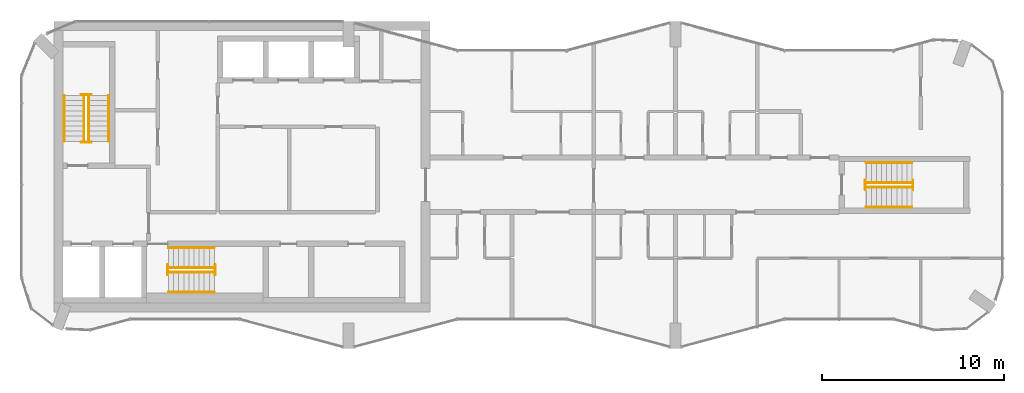
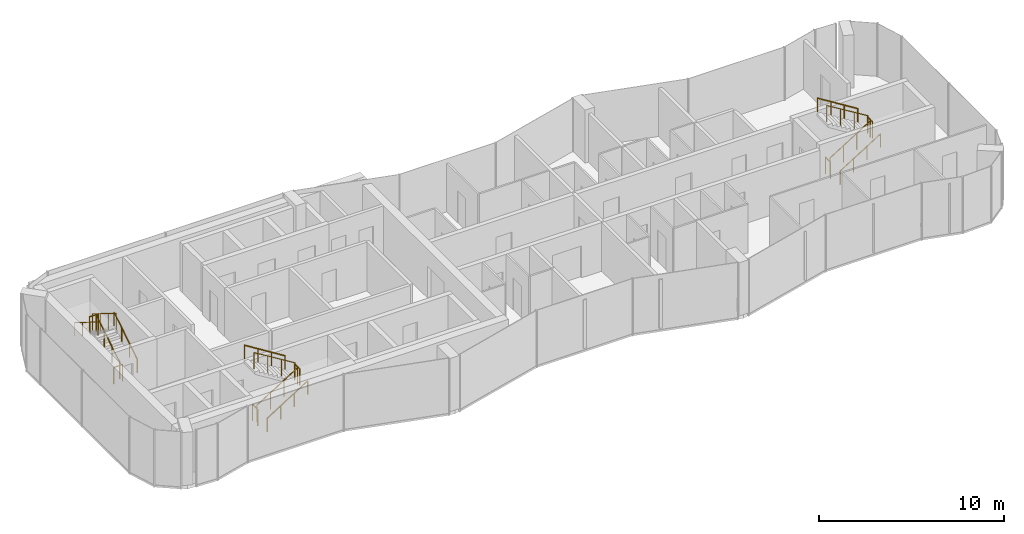
# One storey, part 9 of 9: 18 railings.
"""IFC4 building model written with IfcOpenShell, lengths in metres."""

from ifc_helpers import new_model, si_unit, direction, frame, origin, origin_2d, place, context, subcontext, project, spatial, circle, extrude, material, type_object, element, save


model = new_model("IFC4")

# Units and contexts
model_context = context("Model", 3, precision=1e-05, world=origin(), true_north=direction((0.0, 1.0)))
body_context = subcontext(model_context, "Body", "Model", "MODEL_VIEW")
ifc_project = project(units=[si_unit("LENGTHUNIT", "METRE"), si_unit("AREAUNIT", "SQUARE_METRE"), si_unit("VOLUMEUNIT", "CUBIC_METRE"), si_unit("PLANEANGLEUNIT", "RADIAN"), si_unit("MASSUNIT", "GRAM", prefix="KILO")], contexts=[model_context])

# Site, building, storey
site_placement = place(None, origin())
site = spatial("IfcSite", under=ifc_project, at=site_placement, CompositionType="ELEMENT")
building_placement = place(site_placement, origin())
building = spatial("IfcBuilding", under=site, at=building_placement, Name="Plateau Cross Towers", CompositionType="ELEMENT")
storey_placement = place(building_placement, frame((0.0, 0.0, 232.89990234375)))
storey = spatial("IfcBuildingStorey", under=building, at=storey_placement, Name="L61", CompositionType="ELEMENT", Elevation=232.89990234375)

# Railings
ifc_material_1 = material(Name="Stainless steel and toughened glass", Category="steel")
railing_type_1 = type_object("IfcRailingType", Name="RL-GUARD-1100", PredefinedType="GUARDRAIL", material=ifc_material_1)
railing_1_placement = place(storey_placement, frame((3.699951171875, 11.39990234375, 0.175048828125)))
element("IfcRailing", 1, at=railing_1_placement, inside=storey, type_object=railing_type_1, Name="L61 ST-1 stair guard 1", PredefinedType="GUARDRAIL", context=body_context, shape_type="SweptSolid", body=[
    extrude(circle(Radius=0.02392578125, at=origin_2d()), frame((0.0, 0.0, 1.076171875), z_axis=(0.0, 0.848007534815, 0.529984170421), x_axis=(-1.0, 0.0, 0.0)), (0.0, 0.0, 1.0), 2.9716796875),
    extrude(circle(Radius=0.02099609375, at=origin_2d()), origin(), (0.0, 0.0, 1.0), 1.052001953125),
    extrude(circle(Radius=0.02099609375, at=origin_2d()), frame((0.0, 0.840087890625, 0.52490234375)), (0.0, 0.0, 1.0), 1.052001953125),
    extrude(circle(Radius=0.02099609375, at=origin_2d()), frame((0.0, 1.679931640625, 1.050048828125)), (0.0, 0.0, 1.0), 1.052001953125),
    extrude(circle(Radius=0.02099609375, at=origin_2d()), frame((0.0, 2.52001953125, 1.574951171875)), (0.0, 0.0, 1.0), 1.052001953125),
])
railing_2_placement = place(storey_placement, frame((3.85009765625, 13.969970703125, 1.75)))
element("IfcRailing", 2, at=railing_2_placement, inside=storey, type_object=railing_type_1, Name="L61 ST-1 stair guard 2", PredefinedType="GUARDRAIL", context=body_context, shape_type="SweptSolid", body=[
    extrude(circle(Radius=0.02392578125, at=origin_2d()), frame((0.0, 0.0, 1.076171875), z_axis=(-1.0, 0.0, 0.0), x_axis=(0.0, -1.0, 0.0)), (0.0, 0.0, 1.0), 0.550048828125),
    extrude(circle(Radius=0.02099609375, at=origin_2d()), origin(), (0.0, 0.0, 1.0), 1.052001953125),
    extrude(circle(Radius=0.02099609375, at=origin_2d()), frame((-0.550048828125, 0.0, 0.0)), (0.0, 0.0, 1.0), 1.052001953125),
])
railing_3_placement = place(storey_placement, frame((3.449951171875, 13.919921875, 1.925048828125)))
element("IfcRailing", 3, at=railing_3_placement, inside=storey, type_object=railing_type_1, Name="L61 ST-1 stair guard 3", PredefinedType="GUARDRAIL", context=body_context, shape_type="SweptSolid", body=[
    extrude(circle(Radius=0.02392578125, at=origin_2d()), frame((0.0, 0.0, 1.076171875), z_axis=(0.0, -0.852616386126, 0.522537365276), x_axis=(1.0, 0.0, 0.0)), (0.0, 0.0, 1.0), 3.01416015625),
    extrude(circle(Radius=0.02099609375, at=origin_2d()), origin(), (0.0, 0.0, 1.0), 1.052001953125),
    extrude(circle(Radius=0.02099609375, at=origin_2d()), frame((0.0, -0.856689453125, 0.52490234375)), (0.0, 0.0, 1.0), 1.052001953125),
    extrude(circle(Radius=0.02099609375, at=origin_2d()), frame((0.0, -1.713134765625, 1.050048828125)), (0.0, 0.0, 1.0), 1.052001953125),
    extrude(circle(Radius=0.02099609375, at=origin_2d()), frame((0.0, -2.56982421875, 1.574951171875)), (0.0, 0.0, 1.0), 1.052001953125),
])
railing_4_placement = place(storey_placement, frame((3.85009765625, 11.35009765625, 0.0)))
element("IfcRailing", 4, at=railing_4_placement, inside=storey, type_object=railing_type_1, Name="L61 ST-1 stair guard 4", PredefinedType="GUARDRAIL", context=body_context, shape_type="SweptSolid", body=[
    extrude(circle(Radius=0.02392578125, at=origin_2d()), frame((0.0, 0.0, 1.076171875), z_axis=(-1.0, 0.0, 0.0), x_axis=(0.0, -1.0, 0.0)), (0.0, 0.0, 1.0), 0.550048828125),
    extrude(circle(Radius=0.02099609375, at=origin_2d()), origin(), (0.0, 0.0, 1.0), 1.052001953125),
    extrude(circle(Radius=0.02099609375, at=origin_2d()), frame((-0.550048828125, 0.0, 0.0)), (0.0, 0.0, 1.0), 1.052001953125),
])
railing_5_placement = place(storey_placement, frame((8.10009765625, 4.199951171875, 0.175048828125)))
element("IfcRailing", 5, at=railing_5_placement, inside=storey, type_object=railing_type_1, Name="L61 ST-2 stair guard 1", PredefinedType="GUARDRAIL", context=body_context, shape_type="SweptSolid", body=[
    extrude(circle(Radius=0.02392578125, at=origin_2d()), frame((0.0, 0.0, 1.076171875), z_axis=(0.848007534815, 0.0, 0.529984170421), x_axis=(0.0, 1.0, 0.0)), (0.0, 0.0, 1.0), 2.9716796875),
    extrude(circle(Radius=0.02099609375, at=origin_2d()), origin(), (0.0, 0.0, 1.0), 1.052001953125),
    extrude(circle(Radius=0.02099609375, at=origin_2d()), frame((0.840087890625, 0.0, 0.52490234375)), (0.0, 0.0, 1.0), 1.052001953125),
    extrude(circle(Radius=0.02099609375, at=origin_2d()), frame((1.679931640625, 0.0, 1.050048828125)), (0.0, 0.0, 1.0), 1.052001953125),
    extrude(circle(Radius=0.02099609375, at=origin_2d()), frame((2.52001953125, 0.0, 1.574951171875)), (0.0, 0.0, 1.0), 1.052001953125),
])
railing_6_placement = place(storey_placement, frame((10.669921875, 4.050048828125, 1.75)))
element("IfcRailing", 6, at=railing_6_placement, inside=storey, type_object=railing_type_1, Name="L61 ST-2 stair guard 2", PredefinedType="GUARDRAIL", context=body_context, shape_type="SweptSolid", body=[
    extrude(circle(Radius=0.02392578125, at=origin_2d()), frame((0.0, 0.0, 1.076171875), z_axis=(0.0, 1.0, 0.0), x_axis=(-1.0, 0.0, 0.0)), (0.0, 0.0, 1.0), 0.550048828125),
    extrude(circle(Radius=0.02099609375, at=origin_2d()), origin(), (0.0, 0.0, 1.0), 1.052001953125),
    extrude(circle(Radius=0.02099609375, at=origin_2d()), frame((0.0, 0.550048828125, 0.0)), (0.0, 0.0, 1.0), 1.052001953125),
])
railing_7_placement = place(storey_placement, frame((10.6201171875, 4.449951171875, 1.925048828125)))
element("IfcRailing", 7, at=railing_7_placement, inside=storey, type_object=railing_type_1, Name="L61 ST-2 stair guard 3", PredefinedType="GUARDRAIL", context=body_context, shape_type="SweptSolid", body=[
    extrude(circle(Radius=0.02392578125, at=origin_2d()), frame((0.0, 0.0, 1.076171875), z_axis=(-0.852638500773, 0.0, 0.522501279423), x_axis=(0.0, -1.0, 0.0)), (0.0, 0.0, 1.0), 3.01416015625),
    extrude(circle(Radius=0.02099609375, at=origin_2d()), origin(), (0.0, 0.0, 1.0), 1.052001953125),
    extrude(circle(Radius=0.02099609375, at=origin_2d()), frame((-0.856689453125, 0.0, 0.52490234375)), (0.0, 0.0, 1.0), 1.052001953125),
    extrude(circle(Radius=0.02099609375, at=origin_2d()), frame((-1.71337890625, 0.0, 1.050048828125)), (0.0, 0.0, 1.0), 1.052001953125),
    extrude(circle(Radius=0.02099609375, at=origin_2d()), frame((-2.570068359375, 0.0, 1.574951171875)), (0.0, 0.0, 1.0), 1.052001953125),
])
railing_8_placement = place(storey_placement, frame((8.050048828125, 4.050048828125, 0.0)))
element("IfcRailing", 8, at=railing_8_placement, inside=storey, type_object=railing_type_1, Name="L61 ST-2 stair guard 4", PredefinedType="GUARDRAIL", context=body_context, shape_type="SweptSolid", body=[
    extrude(circle(Radius=0.02392578125, at=origin_2d()), frame((0.0, 0.0, 1.076171875), z_axis=(0.0, 1.0, 0.0), x_axis=(-1.0, 0.0, 0.0)), (0.0, 0.0, 1.0), 0.550048828125),
    extrude(circle(Radius=0.02099609375, at=origin_2d()), origin(), (0.0, 0.0, 1.0), 1.052001953125),
    extrude(circle(Radius=0.02099609375, at=origin_2d()), frame((0.0, 0.550048828125, 0.0)), (0.0, 0.0, 1.0), 1.052001953125),
])
railing_9_placement = place(storey_placement, frame((46.5, 8.875, 0.175048828125)))
element("IfcRailing", 9, at=railing_9_placement, inside=storey, type_object=railing_type_1, Name="L61 ES-E stair guard 1", PredefinedType="GUARDRAIL", context=body_context, shape_type="SweptSolid", body=[
    extrude(circle(Radius=0.02392578125, at=origin_2d()), frame((0.0, 0.0, 1.076171875), z_axis=(0.848007534815, 0.0, 0.529984170421), x_axis=(0.0, 1.0, 0.0)), (0.0, 0.0, 1.0), 2.9716796875),
    extrude(circle(Radius=0.02099609375, at=origin_2d()), origin(), (0.0, 0.0, 1.0), 1.052001953125),
    extrude(circle(Radius=0.02099609375, at=origin_2d()), frame((0.840087890625, 0.0, 0.52490234375)), (0.0, 0.0, 1.0), 1.052001953125),
    extrude(circle(Radius=0.02099609375, at=origin_2d()), frame((1.679931640625, 0.0, 1.050048828125)), (0.0, 0.0, 1.0), 1.052001953125),
    extrude(circle(Radius=0.02099609375, at=origin_2d()), frame((2.52001953125, 0.0, 1.574951171875)), (0.0, 0.0, 1.0), 1.052001953125),
])
railing_10_placement = place(storey_placement, frame((49.070068359375, 8.72509765625, 1.75)))
element("IfcRailing", 10, at=railing_10_placement, inside=storey, type_object=railing_type_1, Name="L61 ES-E stair guard 2", PredefinedType="GUARDRAIL", context=body_context, shape_type="SweptSolid", body=[
    extrude(circle(Radius=0.02392578125, at=origin_2d()), frame((0.0, 0.0, 1.076171875), z_axis=(0.0, 1.0, 0.0), x_axis=(-1.0, 0.0, 0.0)), (0.0, 0.0, 1.0), 0.5498046875),
    extrude(circle(Radius=0.02099609375, at=origin_2d()), origin(), (0.0, 0.0, 1.0), 1.052001953125),
    extrude(circle(Radius=0.02099609375, at=origin_2d()), frame((0.0, 0.5498046875, 0.0)), (0.0, 0.0, 1.0), 1.052001953125),
])
railing_11_placement = place(storey_placement, frame((49.02001953125, 9.125, 1.925048828125)))
element("IfcRailing", 11, at=railing_11_placement, inside=storey, type_object=railing_type_1, Name="L61 ES-E stair guard 3", PredefinedType="GUARDRAIL", context=body_context, shape_type="SweptSolid", body=[
    extrude(circle(Radius=0.02392578125, at=origin_2d()), frame((0.0, 0.0, 1.076171875), z_axis=(-0.852638500773, 0.0, 0.522501279423), x_axis=(0.0, -1.0, 0.0)), (0.0, 0.0, 1.0), 3.01416015625),
    extrude(circle(Radius=0.02099609375, at=origin_2d()), origin(), (0.0, 0.0, 1.0), 1.052001953125),
    extrude(circle(Radius=0.02099609375, at=origin_2d()), frame((-0.856689453125, 0.0, 0.52490234375)), (0.0, 0.0, 1.0), 1.052001953125),
    extrude(circle(Radius=0.02099609375, at=origin_2d()), frame((-1.71337890625, 0.0, 1.050048828125)), (0.0, 0.0, 1.0), 1.052001953125),
    extrude(circle(Radius=0.02099609375, at=origin_2d()), frame((-2.570068359375, 0.0, 1.574951171875)), (0.0, 0.0, 1.0), 1.052001953125),
])
railing_12_placement = place(storey_placement, frame((46.449951171875, 8.72509765625, 0.0)))
element("IfcRailing", 12, at=railing_12_placement, inside=storey, type_object=railing_type_1, Name="L61 ES-E stair guard 4", PredefinedType="GUARDRAIL", context=body_context, shape_type="SweptSolid", body=[
    extrude(circle(Radius=0.02392578125, at=origin_2d()), frame((0.0, 0.0, 1.076171875), z_axis=(0.0, 1.0, 0.0), x_axis=(-1.0, 0.0, 0.0)), (0.0, 0.0, 1.0), 0.5498046875),
    extrude(circle(Radius=0.02099609375, at=origin_2d()), origin(), (0.0, 0.0, 1.0), 1.052001953125),
    extrude(circle(Radius=0.02099609375, at=origin_2d()), frame((0.0, 0.5498046875, 0.0)), (0.0, 0.0, 1.0), 1.052001953125),
])
ifc_material_2 = material(Name="Black anodised aluminium", Category="aluminium")
railing_type_2 = type_object("IfcRailingType", Name="RL-HANDRAIL-900", PredefinedType="HANDRAIL", material=ifc_material_2)
railing_13_placement = place(storey_placement, frame((4.800048828125, 11.39990234375, 0.175048828125)))
element("IfcRailing", 13, at=railing_13_placement, inside=storey, type_object=railing_type_2, Name="L61 ST-1 stair handrail 1", PredefinedType="HANDRAIL", context=body_context, shape_type="SweptSolid", body=[
    extrude(circle(Radius=0.02392578125, at=origin_2d()), frame((0.0, 0.0, 0.8759765625), z_axis=(0.0, 0.848007534815, 0.529984170421), x_axis=(-1.0, 0.0, 0.0)), (0.0, 0.0, 1.0), 2.9716796875),
    extrude(circle(Radius=0.02099609375, at=origin_2d()), origin(), (0.0, 0.0, 1.0), 0.851806640625),
    extrude(circle(Radius=0.02099609375, at=origin_2d()), frame((0.0, 0.840087890625, 0.52490234375)), (0.0, 0.0, 1.0), 0.851806640625),
    extrude(circle(Radius=0.02099609375, at=origin_2d()), frame((0.0, 1.679931640625, 1.050048828125)), (0.0, 0.0, 1.0), 0.851806640625),
    extrude(circle(Radius=0.02099609375, at=origin_2d()), frame((0.0, 2.52001953125, 1.574951171875)), (0.0, 0.0, 1.0), 0.851806640625),
])
railing_14_placement = place(storey_placement, frame((2.35009765625, 13.919921875, 1.925048828125)))
element("IfcRailing", 14, at=railing_14_placement, inside=storey, type_object=railing_type_2, Name="L61 ST-1 stair handrail 2", PredefinedType="HANDRAIL", context=body_context, shape_type="SweptSolid", body=[
    extrude(circle(Radius=0.02392578125, at=origin_2d()), frame((0.0, 0.0, 0.8759765625), z_axis=(0.0, -0.848007534815, 0.529984170421), x_axis=(1.0, 0.0, 0.0)), (0.0, 0.0, 1.0), 2.9716796875),
    extrude(circle(Radius=0.02099609375, at=origin_2d()), origin(), (0.0, 0.0, 1.0), 0.851806640625),
    extrude(circle(Radius=0.02099609375, at=origin_2d()), frame((0.0, -0.840087890625, 0.52490234375)), (0.0, 0.0, 1.0), 0.851806640625),
    extrude(circle(Radius=0.02099609375, at=origin_2d()), frame((0.0, -1.679931640625, 1.050048828125)), (0.0, 0.0, 1.0), 0.851806640625),
    extrude(circle(Radius=0.02099609375, at=origin_2d()), frame((0.0, -2.52001953125, 1.574951171875)), (0.0, 0.0, 1.0), 0.851806640625),
])
railing_15_placement = place(storey_placement, frame((8.10009765625, 3.10009765625, 0.175048828125)))
element("IfcRailing", 15, at=railing_15_placement, inside=storey, type_object=railing_type_2, Name="L61 ST-2 stair handrail 1", PredefinedType="HANDRAIL", context=body_context, shape_type="SweptSolid", body=[
    extrude(circle(Radius=0.02392578125, at=origin_2d()), frame((0.0, 0.0, 0.8759765625), z_axis=(0.848007534815, 0.0, 0.529984170421), x_axis=(0.0, 1.0, 0.0)), (0.0, 0.0, 1.0), 2.9716796875),
    extrude(circle(Radius=0.02099609375, at=origin_2d()), origin(), (0.0, 0.0, 1.0), 0.851806640625),
    extrude(circle(Radius=0.02099609375, at=origin_2d()), frame((0.840087890625, 0.0, 0.52490234375)), (0.0, 0.0, 1.0), 0.851806640625),
    extrude(circle(Radius=0.02099609375, at=origin_2d()), frame((1.679931640625, 0.0, 1.050048828125)), (0.0, 0.0, 1.0), 0.851806640625),
    extrude(circle(Radius=0.02099609375, at=origin_2d()), frame((2.52001953125, 0.0, 1.574951171875)), (0.0, 0.0, 1.0), 0.851806640625),
])
railing_16_placement = place(storey_placement, frame((10.6201171875, 5.550048828125, 1.925048828125)))
element("IfcRailing", 16, at=railing_16_placement, inside=storey, type_object=railing_type_2, Name="L61 ST-2 stair handrail 2", PredefinedType="HANDRAIL", context=body_context, shape_type="SweptSolid", body=[
    extrude(circle(Radius=0.02392578125, at=origin_2d()), frame((0.0, 0.0, 0.8759765625), z_axis=(-0.848007534815, 0.0, 0.529984170421), x_axis=(0.0, -1.0, 0.0)), (0.0, 0.0, 1.0), 2.9716796875),
    extrude(circle(Radius=0.02099609375, at=origin_2d()), origin(), (0.0, 0.0, 1.0), 0.851806640625),
    extrude(circle(Radius=0.02099609375, at=origin_2d()), frame((-0.840087890625, 0.0, 0.52490234375)), (0.0, 0.0, 1.0), 0.851806640625),
    extrude(circle(Radius=0.02099609375, at=origin_2d()), frame((-1.679931640625, 0.0, 1.050048828125)), (0.0, 0.0, 1.0), 0.851806640625),
    extrude(circle(Radius=0.02099609375, at=origin_2d()), frame((-2.52001953125, 0.0, 1.574951171875)), (0.0, 0.0, 1.0), 0.851806640625),
])
railing_17_placement = place(storey_placement, frame((46.5, 7.77490234375, 0.175048828125)))
element("IfcRailing", 17, at=railing_17_placement, inside=storey, type_object=railing_type_2, Name="L61 ES-E stair handrail 1", PredefinedType="HANDRAIL", context=body_context, shape_type="SweptSolid", body=[
    extrude(circle(Radius=0.02392578125, at=origin_2d()), frame((0.0, 0.0, 0.8759765625), z_axis=(0.848007534815, 0.0, 0.529984170421), x_axis=(0.0, 1.0, 0.0)), (0.0, 0.0, 1.0), 2.9716796875),
    extrude(circle(Radius=0.02099609375, at=origin_2d()), origin(), (0.0, 0.0, 1.0), 0.851806640625),
    extrude(circle(Radius=0.02099609375, at=origin_2d()), frame((0.840087890625, 0.0, 0.52490234375)), (0.0, 0.0, 1.0), 0.851806640625),
    extrude(circle(Radius=0.02099609375, at=origin_2d()), frame((1.679931640625, 0.0, 1.050048828125)), (0.0, 0.0, 1.0), 0.851806640625),
    extrude(circle(Radius=0.02099609375, at=origin_2d()), frame((2.52001953125, 0.0, 1.574951171875)), (0.0, 0.0, 1.0), 0.851806640625),
])
railing_18_placement = place(storey_placement, frame((49.02001953125, 10.22509765625, 1.925048828125)))
element("IfcRailing", 18, at=railing_18_placement, inside=storey, type_object=railing_type_2, Name="L61 ES-E stair handrail 2", PredefinedType="HANDRAIL", context=body_context, shape_type="SweptSolid", body=[
    extrude(circle(Radius=0.02392578125, at=origin_2d()), frame((0.0, 0.0, 0.8759765625), z_axis=(-0.848007534815, 0.0, 0.529984170421), x_axis=(0.0, -1.0, 0.0)), (0.0, 0.0, 1.0), 2.9716796875),
    extrude(circle(Radius=0.02099609375, at=origin_2d()), origin(), (0.0, 0.0, 1.0), 0.851806640625),
    extrude(circle(Radius=0.02099609375, at=origin_2d()), frame((-0.840087890625, 0.0, 0.52490234375)), (0.0, 0.0, 1.0), 0.851806640625),
    extrude(circle(Radius=0.02099609375, at=origin_2d()), frame((-1.679931640625, 0.0, 1.050048828125)), (0.0, 0.0, 1.0), 0.851806640625),
    extrude(circle(Radius=0.02099609375, at=origin_2d()), frame((-2.52001953125, 0.0, 1.574951171875)), (0.0, 0.0, 1.0), 0.851806640625),
])

save(model, "model.ifc")
